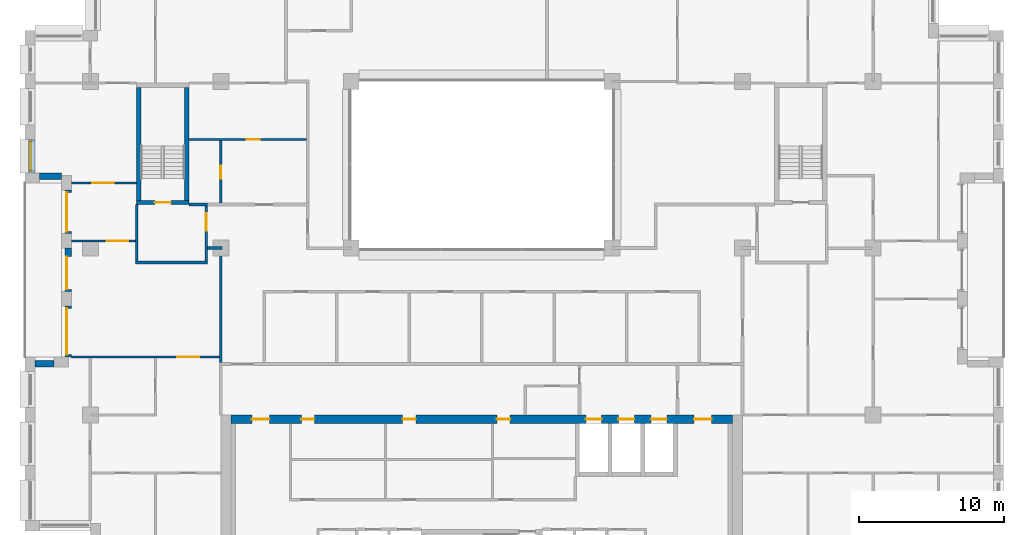
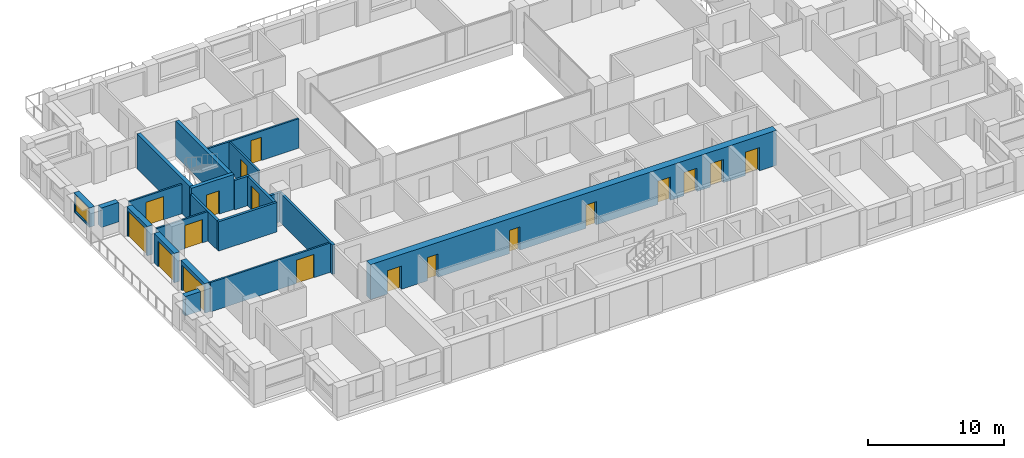
# One storey, part 9 of 16: 21 walls, 18 doors, 1 window, 19 openings.
"""IFC4 building model written with IfcOpenShell, lengths in metres."""

import ifcopenshell
import ifcopenshell.guid

model = None  # the IFC model being written
_history = None  # IfcOwnerHistory: only IFC2X3 demands one
_inside = {}  # id of a spatial element -> (the spatial element, [elements in it])
_under = {}  # id of a project, library or spatial element -> (it, [spatial elements below it])
_declared = {}  # id of a project -> (the project, [libraries it declares])
_typed = {}  # id of a type object -> (the type object, [elements of that type])
_made_of = {}  # id of a material, layer set ... -> (it, [elements and type objects made of it])


def new_model(schema):
    """Start an empty IFC model of exactly this schema.

    Asked for "IFC4X3", IfcOpenShell would pick the latest addendum, in which some entities
    have other attributes; the version numbers below select the first issue.
    IFC2X3 requires an IfcOwnerHistory on every rooted entity: one is made here for all.
    """
    global model, _history
    if schema == "IFC4X3":
        model = ifcopenshell.file(schema_version=(4, 3, 0, 0))
    else:
        model = ifcopenshell.file(schema=schema)
    _inside.clear()
    _under.clear()
    _declared.clear()
    _typed.clear()
    _made_of.clear()
    _history = None
    if model.schema == "IFC2X3":
        org = make("IfcOrganization", Name="unknown")
        user = make(
            "IfcPersonAndOrganization",
            ThePerson=make("IfcPerson", FamilyName="unknown"),
            TheOrganization=org,
        )
        app = make(
            "IfcApplication",
            ApplicationDeveloper=org,
            Version="unknown",
            ApplicationFullName="unknown",
            ApplicationIdentifier="unknown",
        )
        _history = make(
            "IfcOwnerHistory",
            OwningUser=user,
            OwningApplication=app,
            ChangeAction="ADDED",
            CreationDate=0,
        )
    return model


def make(cls, **values):
    """One entity of the class cls with the attributes given. An attribute that is None is left unset."""
    return model.create_entity(
        cls, **{name: value for name, value in values.items() if value is not None}
    )


def rooted(cls, **values):
    """An entity with a GlobalId (a new one), such as an element, a storey or a relation."""
    return make(cls, GlobalId=ifcopenshell.guid.new(), OwnerHistory=_history, **values)


def si_unit(unit_type, name, prefix=None):
    """IfcSIUnit, for example si_unit("LENGTHUNIT", "METRE", prefix="MILLI")."""
    return make("IfcSIUnit", UnitType=unit_type, Prefix=prefix, Name=name)


def assignment(units):
    """IfcUnitAssignment: the units of a project."""
    return None if units is None else make("IfcUnitAssignment", Units=units)


def point(xyz):
    """IfcCartesianPoint."""
    return None if xyz is None else make("IfcCartesianPoint", Coordinates=xyz)


def direction(xyz):
    """IfcDirection."""
    return None if xyz is None else make("IfcDirection", DirectionRatios=xyz)


def frame(location, z_axis=None, x_axis=None):
    """IfcAxis2Placement3D, a coordinate frame: its origin and axes. An axis left out is left unset."""
    return make(
        "IfcAxis2Placement3D",
        Location=point(location),
        Axis=direction(z_axis),
        RefDirection=direction(x_axis),
    )


def frame_2d(location, x_axis=None):
    """IfcAxis2Placement2D, a coordinate frame in the plane: its origin and x axis."""
    return make(
        "IfcAxis2Placement2D", Location=point(location), RefDirection=direction(x_axis)
    )


def origin():
    """The frame at (0, 0, 0) with its axes left unset."""
    return frame((0.0, 0.0, 0.0))


def place(relative_to, where):
    """IfcLocalPlacement: puts the frame where relative to a parent placement (None: the world)."""
    return make(
        "IfcLocalPlacement", PlacementRelTo=relative_to, RelativePlacement=where
    )


def context(
    kind, dimensions, precision=None, world=None, true_north=None, identifier=None
):
    """IfcGeometricRepresentationContext, for example the 3D "Model" context."""
    return make(
        "IfcGeometricRepresentationContext",
        ContextIdentifier=identifier,
        ContextType=kind,
        CoordinateSpaceDimension=dimensions,
        Precision=precision,
        WorldCoordinateSystem=world,
        TrueNorth=true_north,
    )


def subcontext(parent, identifier, kind, view, scale=None):
    """IfcGeometricRepresentationSubContext, for example "Body" below "Model"."""
    return make(
        "IfcGeometricRepresentationSubContext",
        ContextIdentifier=identifier,
        ContextType=kind,
        ParentContext=parent,
        TargetScale=scale,
        TargetView=view,
    )


def project(units=None, contexts=None):
    """IfcProject with its units and contexts."""
    return rooted(
        "IfcProject",
        Name="project",
        RepresentationContexts=contexts,
        UnitsInContext=assignment(units),
    )


def spatial(cls, under=None, at=None, **own):
    """A site, building, storey or space (cls), placed at a placement, below another one or the project."""
    s = rooted(cls, ObjectPlacement=at, **own)
    if under is not None:
        _under.setdefault(under.id(), (under, []))[1].append(s)
    return s


def profile(cls, at=None, kind="AREA", **sizes):
    """A parametric profile (cls). Its sizes go by their IFC names, for example OverallWidth=200.0."""
    return make(cls, ProfileType=kind, Position=at, **sizes)


def rectangle(**sizes):
    """IfcRectangleProfileDef."""
    return profile("IfcRectangleProfileDef", **sizes)


def extrude(swept, where, along, depth):
    """IfcExtrudedAreaSolid: the profile swept, set in the frame where, extruded along a direction by depth."""
    return make(
        "IfcExtrudedAreaSolid",
        SweptArea=swept,
        Position=where,
        ExtrudedDirection=direction(along),
        Depth=depth,
    )


def shape(context_of_items, identifier, shape_type, items):
    """IfcShapeRepresentation: the items that make up one representation, for example the "Body"."""
    return make(
        "IfcShapeRepresentation",
        ContextOfItems=context_of_items,
        RepresentationIdentifier=identifier,
        RepresentationType=shape_type,
        Items=items,
    )


def material(Name=None, Category=None):
    """IfcMaterial."""
    return make("IfcMaterial", Name=Name, Category=Category)


def layer(
    of_material, thickness, ventilated=None, Name=None, Category=None, Priority=None
):
    """IfcMaterialLayer: one layer of a wall or slab, of a material (None: an air gap)."""
    return make(
        "IfcMaterialLayer",
        Material=of_material,
        LayerThickness=thickness,
        IsVentilated=ventilated,
        Name=Name,
        Category=Category,
        Priority=Priority,
    )


def layer_set(layers, Name=None):
    """IfcMaterialLayerSet."""
    return make("IfcMaterialLayerSet", MaterialLayers=layers, LayerSetName=Name)


def made_of(thing, what):
    """Note that an element or type object is made of a material, layer set ...; save() writes the relation."""
    if what is not None:
        _made_of.setdefault(what.id(), (what, []))[1].append(thing)
    return thing


def type_object(cls, material=None, **own):
    """A type object (cls), such as IfcWallType, which elements share."""
    return made_of(rooted(cls, **own), material)


def element(
    cls,
    number,
    at=None,
    inside=None,
    cuts=None,
    type_object=None,
    material=None,
    context=None,
    identifier="Body",
    shape_type=None,
    held_by="IfcProductDefinitionShape",
    body=None,
    shapes=None,
    **own,
):
    """One element of the class cls, such as IfcWall. Its Tag is "e" and its number.

    at: its placement. inside: the storey or other place that contains it. cuts: it is an
    opening in that element (IfcRelVoidsElement). A single representation is given by context,
    identifier, shape_type and body (its items); several are given by shapes. held_by: the class
    of the entity that holds the representations. save() writes the other relations.
    """
    e = rooted(cls, Tag="e%d" % number, ObjectPlacement=at, **own)
    if body is not None:
        shapes = [shape(context, identifier, shape_type, body)]
    if shapes is not None:
        e.Representation = make(held_by, Representations=shapes)
    if inside is not None:
        _inside.setdefault(inside.id(), (inside, []))[1].append(e)
    if cuts is not None:
        rooted(
            "IfcRelVoidsElement", RelatingBuildingElement=cuts, RelatedOpeningElement=e
        )
    if type_object is not None:
        _typed.setdefault(type_object.id(), (type_object, []))[1].append(e)
    return made_of(e, material)


def fill(opening, filler):
    """IfcRelFillsElement: the door or window that sits in an opening."""
    return rooted(
        "IfcRelFillsElement",
        RelatingOpeningElement=opening,
        RelatedBuildingElement=filler,
    )


def aggregate(whole, parts):
    """IfcRelAggregates: a whole, such as a stair, and the parts it consists of."""
    return rooted("IfcRelAggregates", RelatingObject=whole, RelatedObjects=parts)


def save(model, path):
    """Write the relations noted so far, then the file.

    IfcRelAggregates (storeys below a building ...), IfcRelContainedInSpatialStructure (elements
    in a storey), IfcRelDefinesByType, IfcRelAssociatesMaterial and IfcRelDeclares: one each for
    every whole, place, type object, material and project.
    """
    for whole, parts in _under.values():
        aggregate(whole, parts)
    for where, things in _inside.values():
        rooted(
            "IfcRelContainedInSpatialStructure",
            RelatedElements=things,
            RelatingStructure=where,
        )
    for kind, things in _typed.values():
        rooted("IfcRelDefinesByType", RelatedObjects=things, RelatingType=kind)
    for what, things in _made_of.values():
        rooted("IfcRelAssociatesMaterial", RelatedObjects=things, RelatingMaterial=what)
    for by, libraries in _declared.values():
        rooted("IfcRelDeclares", RelatingContext=by, RelatedDefinitions=libraries)
    model.write(path)


model = new_model("IFC4")

# Units and contexts
model_context = context("Model", 3, precision=1e-05, world=origin(), true_north=direction((0.0, 1.0)))
body_context = subcontext(model_context, "Body", "Model", "MODEL_VIEW")
ifc_project = project(units=[si_unit("LENGTHUNIT", "METRE"), si_unit("AREAUNIT", "SQUARE_METRE"), si_unit("VOLUMEUNIT", "CUBIC_METRE"), si_unit("PLANEANGLEUNIT", "RADIAN"), si_unit("MASSUNIT", "GRAM", prefix="KILO")], contexts=[model_context])

# Site, building, storey
site_placement = place(None, origin())
site = spatial("IfcSite", under=ifc_project, at=site_placement, CompositionType="ELEMENT")
building_placement = place(site_placement, origin())
building = spatial("IfcBuilding", under=site, at=building_placement, Name="Brigalow Station Residences", CompositionType="ELEMENT")
storey_placement = place(building_placement, frame((0.0, 0.0, 182.25)))
storey = spatial("IfcBuildingStorey", under=building, at=storey_placement, Name="L53", CompositionType="ELEMENT", Elevation=182.25)

# Wall, opening, window
ifc_material_1 = material(Name="Clay brick masonry", Category="masonry")
ifc_layer_1 = layer(ifc_material_1, 0.449951171875)
ifc_layer_set_1 = layer_set([ifc_layer_1], Name="BRICK INFILL WALL 450")
wall_type_1 = type_object("IfcWallType", Name="BRICK INFILL WALL 450", PredefinedType="SOLIDWALL", material=ifc_layer_set_1)
wall_1_placement = place(storey_placement, frame((4.97509765625, 31.5, 0.89990234375), z_axis=(0.0, 0.0, 1.0), x_axis=(0.0, -1.0, 0.0)))
wall_1 = element("IfcWall", 1, at=wall_1_placement, inside=storey, type_object=wall_type_1, Name="L53/ewall/W-L53-39", PredefinedType="SOLIDWALL", context=body_context, shape_type="SweptSolid", body=[
    extrude(rectangle(XDim=2.300048828125, YDim=0.449951171875, at=frame_2d((1.14990234375, 0.0))), origin(), (0.0, 0.0, 1.0), 1.75),
])
opening_1_placement = place(wall_1_placement, frame((0.14990234375, 0.0, 0.14990234375)))
opening_1 = element("IfcOpeningElement", 2, at=opening_1_placement, cuts=wall_1, Name="Opening WT-7", PredefinedType="OPENING", context=body_context, shape_type="SweptSolid", body=[
    extrude(rectangle(XDim=2.0, YDim=1.5, at=frame_2d((1.0, 0.75))), frame((0.0, 0.23486328125, 0.0), z_axis=(0.0, -1.0, 0.0), x_axis=(1.0, 0.0, 0.0)), (0.0, 0.0, 1.0), 0.469970703125),
])
ifc_material_2 = material(Name="Anodised aluminium frame with double glazing", Category="aluminium")
window_type = type_object("IfcWindowType", Name="WINDOW 2000x1500", PartitioningType="SINGLE_PANEL", PredefinedType="WINDOW", material=ifc_material_2)
window_placement = place(opening_1_placement, origin())
window = element("IfcWindow", 3, at=window_placement, inside=storey, type_object=window_type, Name="L53/window/W-L53-39", OverallHeight=1.5, OverallWidth=2.0, PartitioningType="SINGLE_PANEL", PredefinedType="WINDOW", context=body_context, shape_type="SweptSolid", body=[
    extrude(rectangle(XDim=2.0, YDim=1.5, at=frame_2d((1.0, 0.75))), frame((0.0, -0.06494140625, 0.0), z_axis=(0.0, -1.0, 0.0), x_axis=(1.0, 0.0, 0.0)), (0.0, 0.0, 1.0), 0.06005859375),
])
fill(opening_1, window)

# Wall
wall_2_placement = place(storey_placement, frame((5.5, 28.97509765625, 0.89990234375), z_axis=(0.0, 0.0, 1.0), x_axis=(1.0, 0.0, 0.0)))
element("IfcWall", 4, at=wall_2_placement, inside=storey, type_object=wall_type_1, Name="L53/ewall/W-L53-40", PredefinedType="SOLIDWALL", context=body_context, shape_type="SweptSolid", body=[
    extrude(rectangle(XDim=1.5, YDim=0.449951171875, at=frame_2d((0.75, 0.0))), origin(), (0.0, 0.0, 1.0), 1.75),
])

# Wall, opening, door
wall_3_placement = place(storey_placement, frame((7.47509765625, 28.0, 0.0), z_axis=(0.0, 0.0, 1.0), x_axis=(0.0, -1.0, 0.0)))
wall_3 = element("IfcWall", 5, at=wall_3_placement, inside=storey, type_object=wall_type_1, Name="L53/ewall/W-L53-41", PredefinedType="SOLIDWALL", context=body_context, shape_type="SweptSolid", body=[
    extrude(rectangle(XDim=3.0, YDim=0.449951171875, at=frame_2d((1.5, 0.0))), origin(), (0.0, 0.0, 1.0), 2.64990234375),
])
opening_2_placement = place(wall_3_placement, frame((0.14990234375, 0.0, 0.0)))
opening_2 = element("IfcOpeningElement", 6, at=opening_2_placement, cuts=wall_3, Name="Opening D-B2700", PredefinedType="OPENING", context=body_context, shape_type="SweptSolid", body=[
    extrude(rectangle(XDim=2.699951171875, YDim=2.300048828125, at=frame_2d((1.35009765625, 1.14990234375))), frame((0.0, 0.23486328125, 0.0), z_axis=(0.0, -1.0, 0.0), x_axis=(1.0, 0.0, 0.0)), (0.0, 0.0, 1.0), 0.469970703125),
])
ifc_material_3 = material(Name="Anodised aluminium frame with double glazing", Category="aluminium")
door_type_1 = type_object("IfcDoorType", Name="BALCONY SLIDING DOOR 2700x2300", OperationType="SLIDING_TO_LEFT", PredefinedType="DOOR", material=ifc_material_3)
door_1_placement = place(opening_2_placement, origin())
door_1 = element("IfcDoor", 7, at=door_1_placement, inside=storey, type_object=door_type_1, Name="L53/balcony-door/W-L53-41", OperationType="SLIDING_TO_LEFT", OverallHeight=2.300048828125, OverallWidth=2.699951171875, PredefinedType="DOOR", context=body_context, shape_type="SweptSolid", body=[
    extrude(rectangle(XDim=2.699951171875, YDim=2.300048828125, at=frame_2d((1.35009765625, 1.14990234375))), frame((0.0, -0.06982421875, 0.0), z_axis=(0.0, -1.0, 0.0), x_axis=(1.0, 0.0, 0.0)), (0.0, 0.0, 1.0), 0.050048828125),
])
fill(opening_2, door_1)

wall_4_placement = place(storey_placement, frame((7.47509765625, 24.0, 0.0), z_axis=(0.0, 0.0, 1.0), x_axis=(0.0, -1.0, 0.0)))
wall_4 = element("IfcWall", 8, at=wall_4_placement, inside=storey, type_object=wall_type_1, Name="L53/ewall/W-L53-42", PredefinedType="SOLIDWALL", context=body_context, shape_type="SweptSolid", body=[
    extrude(rectangle(XDim=3.0, YDim=0.449951171875, at=frame_2d((1.5, 0.0))), origin(), (0.0, 0.0, 1.0), 2.64990234375),
])
opening_3_placement = place(wall_4_placement, frame((0.5849609375, 0.0, 0.0)))
opening_3 = element("IfcOpeningElement", 9, at=opening_3_placement, cuts=wall_4, Name="Opening D-B2250", PredefinedType="OPENING", context=body_context, shape_type="SweptSolid", body=[
    extrude(rectangle(XDim=2.25, YDim=2.300048828125, at=frame_2d((1.125, 1.14990234375))), frame((0.0, 0.23486328125, 0.0), z_axis=(0.0, -1.0, 0.0), x_axis=(1.0, 0.0, 0.0)), (0.0, 0.0, 1.0), 0.469970703125),
])
ifc_material_4 = material(Name="Anodised aluminium frame with double glazing", Category="aluminium")
door_type_2 = type_object("IfcDoorType", Name="BALCONY SLIDING DOOR 2250x2300", OperationType="SLIDING_TO_LEFT", PredefinedType="DOOR", material=ifc_material_4)
door_2_placement = place(opening_3_placement, origin())
door_2 = element("IfcDoor", 10, at=door_2_placement, inside=storey, type_object=door_type_2, Name="L53/balcony-door/W-L53-42", OperationType="SLIDING_TO_LEFT", OverallHeight=2.300048828125, OverallWidth=2.25, PredefinedType="DOOR", context=body_context, shape_type="SweptSolid", body=[
    extrude(rectangle(XDim=2.25, YDim=2.300048828125, at=frame_2d((1.125, 1.14990234375))), frame((0.0, -0.06982421875, 0.0), z_axis=(0.0, -1.0, 0.0), x_axis=(1.0, 0.0, 0.0)), (0.0, 0.0, 1.0), 0.050048828125),
])
fill(opening_3, door_2)

wall_5_placement = place(storey_placement, frame((7.47509765625, 20.0, 0.0), z_axis=(0.0, 0.0, 1.0), x_axis=(0.0, -1.0, 0.0)))
wall_5 = element("IfcWall", 11, at=wall_5_placement, inside=storey, type_object=wall_type_1, Name="L53/ewall/W-L53-43", PredefinedType="SOLIDWALL", context=body_context, shape_type="SweptSolid", body=[
    extrude(rectangle(XDim=3.5, YDim=0.449951171875, at=frame_2d((1.75, 0.0))), origin(), (0.0, 0.0, 1.0), 2.64990234375),
])
opening_4_placement = place(wall_5_placement, frame((0.14990234375, 0.0, 0.0)))
opening_4 = element("IfcOpeningElement", 12, at=opening_4_placement, cuts=wall_5, Name="Opening D-B3200", PredefinedType="OPENING", context=body_context, shape_type="SweptSolid", body=[
    extrude(rectangle(XDim=3.199951171875, YDim=2.300048828125, at=frame_2d((1.60009765625, 1.14990234375))), frame((0.0, 0.23486328125, 0.0), z_axis=(0.0, -1.0, 0.0), x_axis=(1.0, 0.0, 0.0)), (0.0, 0.0, 1.0), 0.469970703125),
])
ifc_material_5 = material(Name="Anodised aluminium frame with double glazing", Category="aluminium")
door_type_3 = type_object("IfcDoorType", Name="BALCONY SLIDING DOOR 3200x2300", OperationType="SLIDING_TO_LEFT", PredefinedType="DOOR", material=ifc_material_5)
door_3_placement = place(opening_4_placement, origin())
door_3 = element("IfcDoor", 13, at=door_3_placement, inside=storey, type_object=door_type_3, Name="L53/balcony-door/W-L53-43", OperationType="SLIDING_TO_LEFT", OverallHeight=2.300048828125, OverallWidth=3.199951171875, PredefinedType="DOOR", context=body_context, shape_type="SweptSolid", body=[
    extrude(rectangle(XDim=3.199951171875, YDim=2.300048828125, at=frame_2d((1.60009765625, 1.14990234375))), frame((0.0, -0.06982421875, 0.0), z_axis=(0.0, -1.0, 0.0), x_axis=(1.0, 0.0, 0.0)), (0.0, 0.0, 1.0), 0.050048828125),
])
fill(opening_4, door_3)

# Wall
wall_6_placement = place(storey_placement, frame((6.5, 16.02490234375, 0.89990234375), z_axis=(0.0, 0.0, 1.0), x_axis=(-1.0, 0.0, 0.0)))
element("IfcWall", 14, at=wall_6_placement, inside=storey, type_object=wall_type_1, Name="L53/ewall/W-L53-44", PredefinedType="SOLIDWALL", context=body_context, shape_type="SweptSolid", body=[
    extrude(rectangle(XDim=1.300048828125, YDim=0.449951171875, at=frame_2d((0.64990234375, 0.0))), origin(), (0.0, 0.0, 1.0), 1.75),
])

# Wall, opening, door
ifc_material_6 = material(Name="Concrete C65", Category="concrete")
ifc_layer_2 = layer(ifc_material_6, 0.300048828125)
ifc_layer_set_2 = layer_set([ifc_layer_2], Name="CORE SHEAR WALL 300 C65")
wall_type_2 = type_object("IfcWallType", Name="CORE SHEAR WALL 300 C65", PredefinedType="SHEAR", material=ifc_layer_set_2)
wall_7_placement = place(storey_placement, frame((12.199951171875, 27.14990234375, 0.0), z_axis=(0.0, 0.0, 1.0), x_axis=(1.0, 0.0, 0.0)))
wall_7 = element("IfcWall", 15, at=wall_7_placement, inside=storey, type_object=wall_type_2, Name="CORE WALL ST-S1-S L53", PredefinedType="SHEAR", context=body_context, shape_type="SweptSolid", body=[
    extrude(rectangle(XDim=3.60009765625, YDim=0.300048828125, at=frame_2d((1.800048828125, 0.0))), origin(), (0.0, 0.0, 1.0), 3.14990234375),
])
opening_5_placement = place(wall_7_placement, frame((1.25, 0.0, 0.0)))
opening_5 = element("IfcOpeningElement", 16, at=opening_5_placement, cuts=wall_7, Name="Opening D-5015", PredefinedType="OPENING", context=body_context, shape_type="SweptSolid", body=[
    extrude(rectangle(XDim=1.10009765625, YDim=2.10009765625, at=frame_2d((0.550048828125, 1.050048828125))), frame((0.0, 0.16015625, 0.0), z_axis=(0.0, -1.0, 0.0), x_axis=(1.0, 0.0, 0.0)), (0.0, 0.0, 1.0), 0.320068359375),
])
ifc_material_7 = material(Name="Steel fire door leaf in steel frame", Category="steel")
door_type_4 = type_object("IfcDoorType", Name="STAIR DOOR 1100 x 2100 FD60S", OperationType="SINGLE_SWING_LEFT", PredefinedType="DOOR", material=ifc_material_7)
door_4_placement = place(opening_5_placement, origin())
door_4 = element("IfcDoor", 17, at=door_4_placement, inside=storey, type_object=door_type_4, Name="D-5015", OperationType="SINGLE_SWING_LEFT", OverallHeight=2.10009765625, OverallWidth=1.10009765625, PredefinedType="DOOR", context=body_context, shape_type="SweptSolid", body=[
    extrude(rectangle(XDim=1.10009765625, YDim=2.10009765625, at=frame_2d((0.550048828125, 1.050048828125))), frame((0.0, 0.02490234375, 0.0), z_axis=(0.0, -1.0, 0.0), x_axis=(1.0, 0.0, 0.0)), (0.0, 0.0, 1.0), 0.050048828125),
])
fill(opening_5, door_4)

# Walls
for number, where, z_axis, x_axis, name in (
    (18, (12.35009765625, 27.300048828125, 0.0), (0.0, 0.0, 1.0), (0.0, 1.0, 0.0), "CORE WALL ST-S1-W L53"),
    (19, (15.64990234375, 27.300048828125, 0.0), (0.0, 0.0, 1.0), (0.0, 1.0, 0.0), "CORE WALL ST-S1-E L53"),
):
    element("IfcWall", number, at=place(storey_placement, frame(where, z_axis=z_axis, x_axis=x_axis)), inside=storey, type_object=wall_type_2, Name=name, PredefinedType="SHEAR", context=body_context, shape_type="SweptSolid", body=[
        extrude(rectangle(XDim=7.800048828125, YDim=0.300048828125, at=frame_2d((3.89990234375, 0.0))), origin(), (0.0, 0.0, 1.0), 3.14990234375),
    ])

# Wall, openings, doors
ifc_material_8 = material(Name="Concrete C65", Category="concrete")
ifc_layer_3 = layer(ifc_material_8, 0.60009765625)
ifc_layer_set_3 = layer_set([ifc_layer_3], Name="CORE SHEAR WALL 600 C65")
wall_type_3 = type_object("IfcWallType", Name="CORE SHEAR WALL 600 C65", PredefinedType="SHEAR", material=ifc_layer_set_3)
wall_8_placement = place(storey_placement, frame((18.699951171875, 12.199951171875, 0.0), z_axis=(0.0, 0.0, 1.0), x_axis=(1.0, 0.0, 0.0)))
wall_8 = element("IfcWall", 20, at=wall_8_placement, inside=storey, type_object=wall_type_3, Name="CORE WALL OUT-N L53", PredefinedType="SHEAR", context=body_context, shape_type="SweptSolid", body=[
    extrude(rectangle(XDim=34.60009765625, YDim=0.60009765625, at=frame_2d((17.300048828125, 0.0))), origin(), (0.0, 0.0, 1.0), 3.14990234375),
])
opening_6_placement = place(wall_8_placement, frame((24.47509765625, 0.0, 0.0)))
opening_6 = element("IfcOpeningElement", 21, at=opening_6_placement, cuts=wall_8, Name="Opening LD-LF1", PredefinedType="OPENING", context=body_context, shape_type="SweptSolid", body=[
    extrude(rectangle(XDim=1.10009765625, YDim=2.10009765625, at=frame_2d((0.550048828125, 1.050048828125))), frame((0.0, 0.31005859375, 0.0), z_axis=(0.0, -1.0, 0.0), x_axis=(1.0, 0.0, 0.0)), (0.0, 0.0, 1.0), 0.6201171875),
])
opening_7_placement = place(wall_8_placement, frame((26.72509765625, 0.0, 0.0)))
opening_7 = element("IfcOpeningElement", 22, at=opening_7_placement, cuts=wall_8, Name="Opening LD-LF2", PredefinedType="OPENING", context=body_context, shape_type="SweptSolid", body=[
    extrude(rectangle(XDim=1.10009765625, YDim=2.10009765625, at=frame_2d((0.550048828125, 1.050048828125))), frame((0.0, 0.31005859375, 0.0), z_axis=(0.0, -1.0, 0.0), x_axis=(1.0, 0.0, 0.0)), (0.0, 0.0, 1.0), 0.6201171875),
])
opening_8_placement = place(wall_8_placement, frame((28.97509765625, 0.0, 0.0)))
opening_8 = element("IfcOpeningElement", 23, at=opening_8_placement, cuts=wall_8, Name="Opening LD-LG1", PredefinedType="OPENING", context=body_context, shape_type="SweptSolid", body=[
    extrude(rectangle(XDim=1.10009765625, YDim=2.10009765625, at=frame_2d((0.550048828125, 1.050048828125))), frame((0.0, 0.31005859375, 0.0), z_axis=(0.0, -1.0, 0.0), x_axis=(1.0, 0.0, 0.0)), (0.0, 0.0, 1.0), 0.6201171875),
])
opening_9_placement = place(wall_8_placement, frame((4.85009765625, 0.0, 0.0)))
opening_9 = element("IfcOpeningElement", 24, at=opening_9_placement, cuts=wall_8, Name="Opening D-5118", PredefinedType="OPENING", context=body_context, shape_type="SweptSolid", body=[
    extrude(rectangle(XDim=0.89990234375, YDim=2.10009765625, at=frame_2d((0.449951171875, 1.050048828125))), frame((0.0, 0.31005859375, 0.0), z_axis=(0.0, -1.0, 0.0), x_axis=(1.0, 0.0, 0.0)), (0.0, 0.0, 1.0), 0.6201171875),
])
opening_10_placement = place(wall_8_placement, frame((11.85009765625, 0.0, 0.0)))
opening_10 = element("IfcOpeningElement", 25, at=opening_10_placement, cuts=wall_8, Name="Opening D-5122", PredefinedType="OPENING", context=body_context, shape_type="SweptSolid", body=[
    extrude(rectangle(XDim=0.89990234375, YDim=2.10009765625, at=frame_2d((0.449951171875, 1.050048828125))), frame((0.0, 0.31005859375, 0.0), z_axis=(0.0, -1.0, 0.0), x_axis=(1.0, 0.0, 0.0)), (0.0, 0.0, 1.0), 0.6201171875),
])
opening_11_placement = place(wall_8_placement, frame((18.35009765625, 0.0, 0.0)))
opening_11 = element("IfcOpeningElement", 26, at=opening_11_placement, cuts=wall_8, Name="Opening D-5119", PredefinedType="OPENING", context=body_context, shape_type="SweptSolid", body=[
    extrude(rectangle(XDim=0.89990234375, YDim=2.10009765625, at=frame_2d((0.449951171875, 1.050048828125))), frame((0.0, 0.31005859375, 0.0), z_axis=(0.0, -1.0, 0.0), x_axis=(1.0, 0.0, 0.0)), (0.0, 0.0, 1.0), 0.6201171875),
])
opening_12_placement = place(wall_8_placement, frame((1.449951171875, 0.0, 0.0)))
opening_12 = element("IfcOpeningElement", 27, at=opening_12_placement, cuts=wall_8, Name="Opening D-5011", PredefinedType="OPENING", context=body_context, shape_type="SweptSolid", body=[
    extrude(rectangle(XDim=1.199951171875, YDim=2.10009765625, at=frame_2d((0.60009765625, 1.050048828125))), frame((0.0, 0.31005859375, 0.0), z_axis=(0.0, -1.0, 0.0), x_axis=(1.0, 0.0, 0.0)), (0.0, 0.0, 1.0), 0.6201171875),
])
opening_13_placement = place(wall_8_placement, frame((31.949951171875, 0.0, 0.0)))
opening_13 = element("IfcOpeningElement", 28, at=opening_13_placement, cuts=wall_8, Name="Opening D-5012", PredefinedType="OPENING", context=body_context, shape_type="SweptSolid", body=[
    extrude(rectangle(XDim=1.199951171875, YDim=2.10009765625, at=frame_2d((0.60009765625, 1.050048828125))), frame((0.0, 0.31005859375, 0.0), z_axis=(0.0, -1.0, 0.0), x_axis=(1.0, 0.0, 0.0)), (0.0, 0.0, 1.0), 0.6201171875),
])
ifc_material_9 = material(Name="Steel fire door leaf in steel frame", Category="steel")
door_type_5 = type_object("IfcDoorType", Name="CORE CORRIDOR DOOR 1200 x 2100 FD60S", OperationType="SINGLE_SWING_LEFT", PredefinedType="DOOR", material=ifc_material_9)
door_5_placement = place(opening_12_placement, frame((1.199951171875, 0.0, 0.0), z_axis=(0.0, 0.0, 1.0), x_axis=(-1.0, 0.0, 0.0)))
door_5 = element("IfcDoor", 29, at=door_5_placement, inside=storey, type_object=door_type_5, Name="D-5011", OperationType="SINGLE_SWING_LEFT", OverallHeight=2.10009765625, OverallWidth=1.199951171875, PredefinedType="DOOR", context=body_context, shape_type="SweptSolid", body=[
    extrude(rectangle(XDim=1.199951171875, YDim=2.10009765625, at=frame_2d((0.60009765625, 1.050048828125))), frame((0.0, 0.02490234375, 0.0), z_axis=(0.0, -1.0, 0.0), x_axis=(1.0, 0.0, 0.0)), (0.0, 0.0, 1.0), 0.050048828125),
])
fill(opening_12, door_5)
door_6_placement = place(opening_13_placement, frame((1.199951171875, 0.0, 0.0), z_axis=(0.0, 0.0, 1.0), x_axis=(-1.0, 0.0, 0.0)))
door_6 = element("IfcDoor", 30, at=door_6_placement, inside=storey, type_object=door_type_5, Name="D-5012", OperationType="SINGLE_SWING_LEFT", OverallHeight=2.10009765625, OverallWidth=1.199951171875, PredefinedType="DOOR", context=body_context, shape_type="SweptSolid", body=[
    extrude(rectangle(XDim=1.199951171875, YDim=2.10009765625, at=frame_2d((0.60009765625, 1.050048828125))), frame((0.0, 0.02490234375, 0.0), z_axis=(0.0, -1.0, 0.0), x_axis=(1.0, 0.0, 0.0)), (0.0, 0.0, 1.0), 0.050048828125),
])
fill(opening_13, door_6)
ifc_material_10 = material(Name="Stainless steel sliding door leaves", Category="steel")
door_type_6 = type_object("IfcDoorType", Name="LIFT LANDING DOOR 1100 x 2100", OperationType="DOUBLE_DOOR_SLIDING", PredefinedType="DOOR", material=ifc_material_10)
door_7_placement = place(opening_6_placement, origin())
door_7 = element("IfcDoor", 31, at=door_7_placement, inside=storey, type_object=door_type_6, Name="LANDING DOOR LF1", OperationType="DOUBLE_DOOR_SLIDING", OverallHeight=2.10009765625, OverallWidth=1.10009765625, PredefinedType="DOOR", context=body_context, shape_type="SweptSolid", body=[
    extrude(rectangle(XDim=1.10009765625, YDim=2.10009765625, at=frame_2d((0.550048828125, 1.050048828125))), frame((0.0, 0.02490234375, 0.0), z_axis=(0.0, -1.0, 0.0), x_axis=(1.0, 0.0, 0.0)), (0.0, 0.0, 1.0), 0.050048828125),
])
fill(opening_6, door_7)
door_8_placement = place(opening_7_placement, origin())
door_8 = element("IfcDoor", 32, at=door_8_placement, inside=storey, type_object=door_type_6, Name="LANDING DOOR LF2", OperationType="DOUBLE_DOOR_SLIDING", OverallHeight=2.10009765625, OverallWidth=1.10009765625, PredefinedType="DOOR", context=body_context, shape_type="SweptSolid", body=[
    extrude(rectangle(XDim=1.10009765625, YDim=2.10009765625, at=frame_2d((0.550048828125, 1.050048828125))), frame((0.0, 0.02490234375, 0.0), z_axis=(0.0, -1.0, 0.0), x_axis=(1.0, 0.0, 0.0)), (0.0, 0.0, 1.0), 0.050048828125),
])
fill(opening_7, door_8)
door_9_placement = place(opening_8_placement, origin())
door_9 = element("IfcDoor", 33, at=door_9_placement, inside=storey, type_object=door_type_6, Name="LANDING DOOR LG1", OperationType="DOUBLE_DOOR_SLIDING", OverallHeight=2.10009765625, OverallWidth=1.10009765625, PredefinedType="DOOR", context=body_context, shape_type="SweptSolid", body=[
    extrude(rectangle(XDim=1.10009765625, YDim=2.10009765625, at=frame_2d((0.550048828125, 1.050048828125))), frame((0.0, 0.02490234375, 0.0), z_axis=(0.0, -1.0, 0.0), x_axis=(1.0, 0.0, 0.0)), (0.0, 0.0, 1.0), 0.050048828125),
])
fill(opening_8, door_9)
ifc_material_11 = material(Name="Steel door leaf in steel frame", Category="steel")
door_type_7 = type_object("IfcDoorType", Name="SERVICE ROOM DOOR 900 x 2100 FD60", OperationType="SINGLE_SWING_LEFT", PredefinedType="DOOR", material=ifc_material_11)
door_10_placement = place(opening_9_placement, frame((0.89990234375, 0.0, 0.0), z_axis=(0.0, 0.0, 1.0), x_axis=(-1.0, 0.0, 0.0)))
door_10 = element("IfcDoor", 34, at=door_10_placement, inside=storey, type_object=door_type_7, Name="D-5118", OperationType="SINGLE_SWING_RIGHT", OverallHeight=2.10009765625, OverallWidth=0.89990234375, PredefinedType="DOOR", context=body_context, shape_type="SweptSolid", body=[
    extrude(rectangle(XDim=0.89990234375, YDim=2.10009765625, at=frame_2d((0.449951171875, 1.050048828125))), frame((0.0, 0.02490234375, 0.0), z_axis=(0.0, -1.0, 0.0), x_axis=(1.0, 0.0, 0.0)), (0.0, 0.0, 1.0), 0.050048828125),
])
fill(opening_9, door_10)
door_11_placement = place(opening_10_placement, frame((0.89990234375, 0.0, 0.0), z_axis=(0.0, 0.0, 1.0), x_axis=(-1.0, 0.0, 0.0)))
door_11 = element("IfcDoor", 35, at=door_11_placement, inside=storey, type_object=door_type_7, Name="D-5122", OperationType="SINGLE_SWING_RIGHT", OverallHeight=2.10009765625, OverallWidth=0.89990234375, PredefinedType="DOOR", context=body_context, shape_type="SweptSolid", body=[
    extrude(rectangle(XDim=0.89990234375, YDim=2.10009765625, at=frame_2d((0.449951171875, 1.050048828125))), frame((0.0, 0.02490234375, 0.0), z_axis=(0.0, -1.0, 0.0), x_axis=(1.0, 0.0, 0.0)), (0.0, 0.0, 1.0), 0.050048828125),
])
fill(opening_10, door_11)
door_12_placement = place(opening_11_placement, frame((0.89990234375, 0.0, 0.0), z_axis=(0.0, 0.0, 1.0), x_axis=(-1.0, 0.0, 0.0)))
door_12 = element("IfcDoor", 36, at=door_12_placement, inside=storey, type_object=door_type_7, Name="D-5119", OperationType="SINGLE_SWING_RIGHT", OverallHeight=2.10009765625, OverallWidth=0.89990234375, PredefinedType="DOOR", context=body_context, shape_type="SweptSolid", body=[
    extrude(rectangle(XDim=0.89990234375, YDim=2.10009765625, at=frame_2d((0.449951171875, 1.050048828125))), frame((0.0, 0.02490234375, 0.0), z_axis=(0.0, -1.0, 0.0), x_axis=(1.0, 0.0, 0.0)), (0.0, 0.0, 1.0), 0.050048828125),
])
fill(opening_11, door_12)

# Walls
ifc_material_12 = material(Name="Concrete blockwork", Category="masonry")
ifc_layer_4 = layer(ifc_material_12, 0.199951171875)
ifc_layer_set_4 = layer_set([ifc_layer_4], Name="FIRE RATED CORE PARTITION 200")
wall_type_4 = type_object("IfcWallType", Name="FIRE RATED CORE PARTITION 200", PredefinedType="PARTITIONING", material=ifc_layer_set_4)
wall_9_placement = place(storey_placement, frame((12.10009765625, 23.0, 0.0), z_axis=(0.0, 0.0, 1.0), x_axis=(1.0, 0.0, 0.0)))
element("IfcWall", 37, at=wall_9_placement, inside=storey, type_object=wall_type_4, Name="PW-5023", PredefinedType="PARTITIONING", context=body_context, shape_type="SweptSolid", body=[
    extrude(rectangle(XDim=5.0, YDim=0.199951171875, at=frame_2d((2.5, 0.0))), origin(), (0.0, 0.0, 1.0), 2.64990234375),
])
wall_10_placement = place(storey_placement, frame((15.800048828125, 27.0, 0.0), z_axis=(0.0, 0.0, 1.0), x_axis=(1.0, 0.0, 0.0)))
element("IfcWall", 38, at=wall_10_placement, inside=storey, type_object=wall_type_4, Name="PW-5025", PredefinedType="PARTITIONING", context=body_context, shape_type="SweptSolid", body=[
    extrude(rectangle(XDim=1.300048828125, YDim=0.199951171875, at=frame_2d((0.64990234375, 0.0))), origin(), (0.0, 0.0, 1.0), 2.64990234375),
])
wall_11_placement = place(storey_placement, frame((12.199951171875, 23.10009765625, 0.0), z_axis=(0.0, 0.0, 1.0), x_axis=(0.0, 1.0, 0.0)))
element("IfcWall", 39, at=wall_11_placement, inside=storey, type_object=wall_type_4, Name="PW-5034", PredefinedType="PARTITIONING", context=body_context, shape_type="SweptSolid", body=[
    extrude(rectangle(XDim=3.89990234375, YDim=0.199951171875, at=frame_2d((1.949951171875, 0.0))), origin(), (0.0, 0.0, 1.0), 2.64990234375),
])

# Wall, opening, door
wall_12_placement = place(storey_placement, frame((17.0, 23.10009765625, 0.0), z_axis=(0.0, 0.0, 1.0), x_axis=(0.0, 1.0, 0.0)))
wall_12 = element("IfcWall", 40, at=wall_12_placement, inside=storey, type_object=wall_type_4, Name="PW-5035", PredefinedType="PARTITIONING", context=body_context, shape_type="SweptSolid", body=[
    extrude(rectangle(XDim=3.7998046875, YDim=0.199951171875, at=frame_2d((1.89990234375, 0.0))), origin(), (0.0, 0.0, 1.0), 2.64990234375),
])
opening_14_placement = place(wall_12_placement, frame((2.10009765625, 0.0, 0.0)))
opening_14 = element("IfcOpeningElement", 41, at=opening_14_placement, cuts=wall_12, Name="Opening D-5016", PredefinedType="OPENING", context=body_context, shape_type="SweptSolid", body=[
    extrude(rectangle(XDim=1.199951171875, YDim=2.10009765625, at=frame_2d((0.60009765625, 1.050048828125))), frame((0.0, 0.10986328125, 0.0), z_axis=(0.0, -1.0, 0.0), x_axis=(1.0, 0.0, 0.0)), (0.0, 0.0, 1.0), 0.219970703125),
])
ifc_material_13 = material(Name="Steel fire door leaf in steel frame", Category="steel")
door_type_8 = type_object("IfcDoorType", Name="STAIR LOBBY DOOR 1200 x 2100 FD60S", OperationType="SINGLE_SWING_LEFT", PredefinedType="DOOR", material=ifc_material_13)
door_13_placement = place(opening_14_placement, origin())
door_13 = element("IfcDoor", 42, at=door_13_placement, inside=storey, type_object=door_type_8, Name="D-5016", OperationType="SINGLE_SWING_RIGHT", OverallHeight=2.10009765625, OverallWidth=1.199951171875, PredefinedType="DOOR", context=body_context, shape_type="SweptSolid", body=[
    extrude(rectangle(XDim=1.199951171875, YDim=2.10009765625, at=frame_2d((0.60009765625, 1.050048828125))), frame((0.0, 0.02490234375, 0.0), z_axis=(0.0, -1.0, 0.0), x_axis=(1.0, 0.0, 0.0)), (0.0, 0.0, 1.0), 0.050048828125),
])
fill(opening_14, door_13)

ifc_material_14 = material(Name="Plasterboard on steel stud partition", Category="steel")
ifc_layer_5 = layer(ifc_material_14, 0.14990234375)
ifc_layer_set_5 = layer_set([ifc_layer_5], Name="FLAT PARTITION 150")
wall_type_5 = type_object("IfcWallType", Name="FLAT PARTITION 150", PredefinedType="PARTITIONING", material=ifc_layer_set_5)
wall_13_placement = place(storey_placement, frame((15.800048828125, 31.5, 0.0), z_axis=(0.0, 0.0, 1.0), x_axis=(1.0, 0.0, 0.0)))
wall_13 = element("IfcWall", 43, at=wall_13_placement, inside=storey, type_object=wall_type_5, Name="PW-3F09", PredefinedType="PARTITIONING", context=body_context, shape_type="SweptSolid", body=[
    extrude(rectangle(XDim=8.099853515625, YDim=0.14990234375, at=frame_2d((4.0498046875, 0.0))), origin(), (0.0, 0.0, 1.0), 2.64990234375),
])
opening_15_placement = place(wall_13_placement, frame((4.0, 0.0, 0.0)))
opening_15 = element("IfcOpeningElement", 44, at=opening_15_placement, cuts=wall_13, Name="Opening D-3F06", PredefinedType="OPENING", context=body_context, shape_type="SweptSolid", body=[
    extrude(rectangle(XDim=0.89990234375, YDim=2.10009765625, at=frame_2d((0.449951171875, 1.050048828125))), frame((0.0, 0.0849609375, 0.0), z_axis=(0.0, -1.0, 0.0), x_axis=(1.0, 0.0, 0.0)), (0.0, 0.0, 1.0), 0.169921875),
])
ifc_material_15 = material(Name="Solid-core timber door leaf", Category="wood")
door_type_9 = type_object("IfcDoorType", Name="INTERNAL DOOR 900 x 2100", OperationType="SINGLE_SWING_LEFT", PredefinedType="DOOR", material=ifc_material_15)
door_14_placement = place(opening_15_placement, frame((0.89990234375, 0.0, 0.0), z_axis=(0.0, 0.0, 1.0), x_axis=(-1.0, 0.0, 0.0)))
door_14 = element("IfcDoor", 45, at=door_14_placement, inside=storey, type_object=door_type_9, Name="D-3F06", OperationType="SINGLE_SWING_RIGHT", OverallHeight=2.10009765625, OverallWidth=0.89990234375, PredefinedType="DOOR", context=body_context, shape_type="SweptSolid", body=[
    extrude(rectangle(XDim=0.89990234375, YDim=2.10009765625, at=frame_2d((0.449951171875, 1.050048828125))), frame((0.0, 0.02490234375, 0.0), z_axis=(0.0, -1.0, 0.0), x_axis=(1.0, 0.0, 0.0)), (0.0, 0.0, 1.0), 0.050048828125),
])
fill(opening_15, door_14)

wall_14_placement = place(storey_placement, frame((7.699951171875, 28.5, 0.0), z_axis=(0.0, 0.0, 1.0), x_axis=(1.0, 0.0, 0.0)))
wall_14 = element("IfcWall", 46, at=wall_14_placement, inside=storey, type_object=wall_type_5, Name="PW-3F16", PredefinedType="PARTITIONING", context=body_context, shape_type="SweptSolid", body=[
    extrude(rectangle(XDim=4.5, YDim=0.14990234375, at=frame_2d((2.25, 0.0))), origin(), (0.0, 0.0, 1.0), 2.64990234375),
])
opening_16_placement = place(wall_14_placement, frame((1.425048828125, 0.0, 0.0)))
opening_16 = element("IfcOpeningElement", 47, at=opening_16_placement, cuts=wall_14, Name="Opening D-3F10", PredefinedType="OPENING", context=body_context, shape_type="SweptSolid", body=[
    extrude(rectangle(XDim=1.5, YDim=2.10009765625, at=frame_2d((0.75, 1.050048828125))), frame((0.0, 0.0849609375, 0.0), z_axis=(0.0, -1.0, 0.0), x_axis=(1.0, 0.0, 0.0)), (0.0, 0.0, 1.0), 0.169921875),
])
ifc_material_16 = material(Name="Solid-core timber door leaf", Category="wood")
door_type_10 = type_object("IfcDoorType", Name="INTERNAL DOUBLE DOOR 1500 x 2100", OperationType="DOUBLE_DOOR_SINGLE_SWING", PredefinedType="DOOR", material=ifc_material_16)
door_15_placement = place(opening_16_placement, frame((1.5, 0.0, 0.0), z_axis=(0.0, 0.0, 1.0), x_axis=(-1.0, 0.0, 0.0)))
door_15 = element("IfcDoor", 48, at=door_15_placement, inside=storey, type_object=door_type_10, Name="D-3F10", OperationType="DOUBLE_DOOR_SINGLE_SWING", OverallHeight=2.10009765625, OverallWidth=1.5, PredefinedType="DOOR", context=body_context, shape_type="SweptSolid", body=[
    extrude(rectangle(XDim=1.5, YDim=2.10009765625, at=frame_2d((0.75, 1.050048828125))), frame((0.0, 0.02490234375, 0.0), z_axis=(0.0, -1.0, 0.0), x_axis=(1.0, 0.0, 0.0)), (0.0, 0.0, 1.0), 0.050048828125),
])
fill(opening_16, door_15)

wall_15_placement = place(storey_placement, frame((7.699951171875, 24.5, 0.0), z_axis=(0.0, 0.0, 1.0), x_axis=(1.0, 0.0, 0.0)))
wall_15 = element("IfcWall", 49, at=wall_15_placement, inside=storey, type_object=wall_type_5, Name="PW-3F17", PredefinedType="PARTITIONING", context=body_context, shape_type="SweptSolid", body=[
    extrude(rectangle(XDim=4.400146484375, YDim=0.14990234375, at=frame_2d((2.2001953125, 0.0))), origin(), (0.0, 0.0, 1.0), 2.64990234375),
])
opening_17_placement = place(wall_15_placement, frame((2.425048828125, 0.0, 0.0)))
opening_17 = element("IfcOpeningElement", 50, at=opening_17_placement, cuts=wall_15, Name="Opening D-3F11", PredefinedType="OPENING", context=body_context, shape_type="SweptSolid", body=[
    extrude(rectangle(XDim=1.5, YDim=2.10009765625, at=frame_2d((0.75, 1.050048828125))), frame((0.0, 0.0849609375, 0.0), z_axis=(0.0, -1.0, 0.0), x_axis=(1.0, 0.0, 0.0)), (0.0, 0.0, 1.0), 0.169921875),
])
door_16_placement = place(opening_17_placement, origin())
door_16 = element("IfcDoor", 51, at=door_16_placement, inside=storey, type_object=door_type_10, Name="D-3F11", OperationType="DOUBLE_DOOR_SINGLE_SWING", OverallHeight=2.10009765625, OverallWidth=1.5, PredefinedType="DOOR", context=body_context, shape_type="SweptSolid", body=[
    extrude(rectangle(XDim=1.5, YDim=2.10009765625, at=frame_2d((0.75, 1.050048828125))), frame((0.0, 0.02490234375, 0.0), z_axis=(0.0, -1.0, 0.0), x_axis=(1.0, 0.0, 0.0)), (0.0, 0.0, 1.0), 0.050048828125),
])
fill(opening_17, door_16)

wall_16_placement = place(storey_placement, frame((7.699951171875, 16.5, 0.0), z_axis=(0.0, 0.0, 1.0), x_axis=(1.0, 0.0, 0.0)))
wall_16 = element("IfcWall", 52, at=wall_16_placement, inside=storey, type_object=wall_type_5, Name="PW-3F19", PredefinedType="PARTITIONING", context=body_context, shape_type="SweptSolid", body=[
    extrude(rectangle(XDim=10.199951171875, YDim=0.14990234375, at=frame_2d((5.10009765625, 0.0))), origin(), (0.0, 0.0, 1.0), 2.64990234375),
])
opening_18_placement = place(wall_16_placement, frame((7.300048828125, 0.0, 0.0)))
opening_18 = element("IfcOpeningElement", 53, at=opening_18_placement, cuts=wall_16, Name="Opening D-3F12", PredefinedType="OPENING", context=body_context, shape_type="SweptSolid", body=[
    extrude(rectangle(XDim=1.5, YDim=2.10009765625, at=frame_2d((0.75, 1.050048828125))), frame((0.0, 0.0849609375, 0.0), z_axis=(0.0, -1.0, 0.0), x_axis=(1.0, 0.0, 0.0)), (0.0, 0.0, 1.0), 0.169921875),
])
door_17_placement = place(opening_18_placement, frame((1.5, 0.0, 0.0), z_axis=(0.0, 0.0, 1.0), x_axis=(-1.0, 0.0, 0.0)))
door_17 = element("IfcDoor", 54, at=door_17_placement, inside=storey, type_object=door_type_10, Name="D-3F12", OperationType="DOUBLE_DOOR_SINGLE_SWING", OverallHeight=2.10009765625, OverallWidth=1.5, PredefinedType="DOOR", context=body_context, shape_type="SweptSolid", body=[
    extrude(rectangle(XDim=1.5, YDim=2.10009765625, at=frame_2d((0.75, 1.050048828125))), frame((0.0, 0.02490234375, 0.0), z_axis=(0.0, -1.0, 0.0), x_axis=(1.0, 0.0, 0.0)), (0.0, 0.0, 1.0), 0.050048828125),
])
fill(opening_18, door_17)

wall_17_placement = place(storey_placement, frame((18.0, 27.10009765625, 0.0), z_axis=(0.0, 0.0, 1.0), x_axis=(0.0, 1.0, 0.0)))
wall_17 = element("IfcWall", 55, at=wall_17_placement, inside=storey, type_object=wall_type_5, Name="PW-3F28", PredefinedType="PARTITIONING", context=body_context, shape_type="SweptSolid", body=[
    extrude(rectangle(XDim=4.324951171875, YDim=0.14990234375, at=frame_2d((2.16259765625, 0.0))), origin(), (0.0, 0.0, 1.0), 2.64990234375),
])
opening_19_placement = place(wall_17_placement, frame((1.699951171875, 0.0, 0.0)))
opening_19 = element("IfcOpeningElement", 56, at=opening_19_placement, cuts=wall_17, Name="Opening D-3F04", PredefinedType="OPENING", context=body_context, shape_type="SweptSolid", body=[
    extrude(rectangle(XDim=0.89990234375, YDim=2.10009765625, at=frame_2d((0.449951171875, 1.050048828125))), frame((0.0, 0.0849609375, 0.0), z_axis=(0.0, -1.0, 0.0), x_axis=(1.0, 0.0, 0.0)), (0.0, 0.0, 1.0), 0.169921875),
])
door_18_placement = place(opening_19_placement, origin())
door_18 = element("IfcDoor", 57, at=door_18_placement, inside=storey, type_object=door_type_9, Name="D-3F04", OperationType="SINGLE_SWING_LEFT", OverallHeight=2.10009765625, OverallWidth=0.89990234375, PredefinedType="DOOR", context=body_context, shape_type="SweptSolid", body=[
    extrude(rectangle(XDim=0.89990234375, YDim=2.10009765625, at=frame_2d((0.449951171875, 1.050048828125))), frame((0.0, 0.02490234375, 0.0), z_axis=(0.0, -1.0, 0.0), x_axis=(1.0, 0.0, 0.0)), (0.0, 0.0, 1.0), 0.050048828125),
])
fill(opening_19, door_18)

# Walls
ifc_material_17 = material(Name="Plasterboard on steel stud partition", Category="steel")
ifc_layer_6 = layer(ifc_material_17, 0.199951171875)
ifc_layer_set_6 = layer_set([ifc_layer_6], Name="PARTY AND CORRIDOR WALL 200")
wall_type_6 = type_object("IfcWallType", Name="PARTY AND CORRIDOR WALL 200", PredefinedType="PARTITIONING", material=ifc_layer_set_6)
wall_18_placement = place(storey_placement, frame((17.10009765625, 24.0, 0.0), z_axis=(0.0, 0.0, 1.0), x_axis=(1.0, 0.0, 0.0)))
element("IfcWall", 58, at=wall_18_placement, inside=storey, type_object=wall_type_6, Name="PW-3F03", PredefinedType="PARTITIONING", context=body_context, shape_type="SweptSolid", body=[
    extrude(rectangle(XDim=1.0, YDim=0.199951171875, at=frame_2d((0.5, 0.0))), origin(), (0.0, 0.0, 1.0), 2.64990234375),
])
wall_19_placement = place(storey_placement, frame((18.0, 16.10009765625, 0.0), z_axis=(0.0, 0.0, 1.0), x_axis=(0.0, 1.0, 0.0)))
element("IfcWall", 59, at=wall_19_placement, inside=storey, type_object=wall_type_6, Name="PW-3F29", PredefinedType="PARTITIONING", context=body_context, shape_type="SweptSolid", body=[
    extrude(rectangle(XDim=7.7998046875, YDim=0.199951171875, at=frame_2d((3.89990234375, 0.0))), origin(), (0.0, 0.0, 1.0), 2.64990234375),
])

save(model, "model.ifc")
